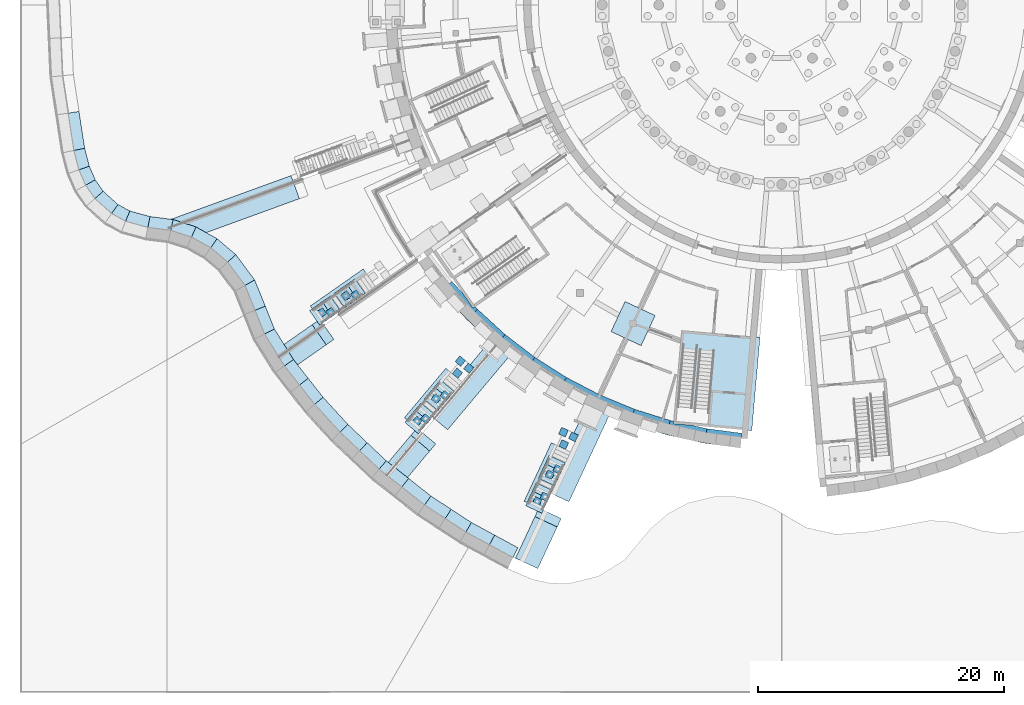
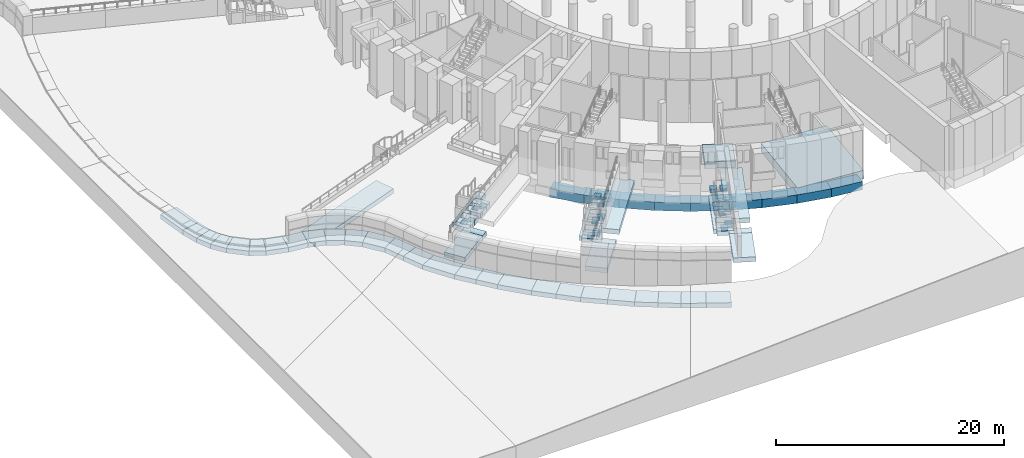
# One storey, part 1 of 65: 85 footings.
"""IFC4 building model written with IfcOpenShell, lengths in metres."""

from ifc_helpers import new_model, si_unit, direction, frame, origin, origin_2d, place, context, subcontext, project, spatial, polyline, rectangle, outline, extrude, material, type_object, element, save


model = new_model("IFC4")

# Units and contexts
model_context = context("Model", 3, precision=1e-05, world=origin(), true_north=direction((0.0, 1.0)))
body_context = subcontext(model_context, "Body", "Model", "MODEL_VIEW")
ifc_project = project(units=[si_unit("LENGTHUNIT", "METRE"), si_unit("AREAUNIT", "SQUARE_METRE"), si_unit("VOLUMEUNIT", "CUBIC_METRE"), si_unit("PLANEANGLEUNIT", "RADIAN"), si_unit("MASSUNIT", "GRAM", prefix="KILO")], contexts=[model_context])

# Site, building, storey
site_placement = place(None, origin())
site = spatial("IfcSite", under=ifc_project, at=site_placement, CompositionType="ELEMENT")
building_placement = place(site_placement, origin())
building = spatial("IfcBuilding", under=site, at=building_placement, Name="Volute Hill Aquarium", CompositionType="ELEMENT")
storey_placement = place(building_placement, frame((0.0, 0.0, -5.5)))
storey = spatial("IfcBuildingStorey", under=building, at=storey_placement, Name="L00", CompositionType="ELEMENT", Elevation=-5.5)

# Footings
ifc_material_1 = material(Name="Concrete C30/37", Category="concrete")
footing_type_1 = type_object("IfcFootingType", Name="Core raft footing 900 C30/37", PredefinedType="PAD_FOOTING", material=ifc_material_1)
footing_1_placement = place(storey_placement, frame((0.0, 0.0, -0.89990234375)))
element("IfcFooting", 1, at=footing_1_placement, inside=storey, type_object=footing_type_1, Name="ft/S2/L00/raftB", PredefinedType="PAD_FOOTING", context=body_context, shape_type="SweptSolid", body=[
    extrude(outline(polyline([(-2.426513671875, -34.6201171875), (-3.6220703125, -34.515625), (-3.6220703125, -34.515625), (-8.80224609375, -34.0625), (-8.139892578125, -26.491455078125), (-2.561279296875, -26.9794921875), (-2.561279296875, -26.9794921875), (-1.76416015625, -27.04931640625), (-2.426513671875, -34.6201171875)])), origin(), (0.0, 0.0, 1.0), 0.89990234375),
])
ifc_material_2 = material(Name="Concrete C30/37", Category="concrete")
footing_type_2 = type_object("IfcFootingType", Name="Outer wall strip footing 1200x900 C30/37", PredefinedType="STRIP_FOOTING", material=ifc_material_2)
footing_2_placement = place(storey_placement, frame((0.0, 0.0, -0.89990234375)))
element("IfcFooting", 2, at=footing_2_placement, inside=storey, type_object=footing_type_2, Name="ft/S2/L00/outer1", PredefinedType="STRIP_FOOTING", context=body_context, shape_type="SweptSolid", body=[
    extrude(outline(polyline([(-25.597412109375, -25.597412109375), (-27.730712890625, -23.268798828125), (-26.8115234375, -22.49755859375), (-25.947998046875, -23.43994140625), (-25.097900390625, -24.654296875), (-24.93798828125, -24.542236328125), (-24.748779296875, -24.748779296875), (-25.597412109375, -25.597412109375)])), origin(), (0.0, 0.0, 1.0), 0.89990234375),
])
footing_3_placement = place(storey_placement, frame((0.0, 0.0, -0.89990234375)))
element("IfcFooting", 3, at=footing_3_placement, inside=storey, type_object=footing_type_2, Name="ft/S2/L00/outer2", PredefinedType="STRIP_FOOTING", context=body_context, shape_type="SweptSolid", body=[
    extrude(outline(polyline([(-23.268798828125, -27.730712890625), (-25.597412109375, -25.597412109375), (-24.748779296875, -24.748779296875), (-22.49755859375, -26.8115234375), (-23.268798828125, -27.730712890625)])), origin(), (0.0, 0.0, 1.0), 0.89990234375),
])
footing_4_placement = place(storey_placement, frame((0.0, 0.0, -0.89990234375)))
element("IfcFooting", 4, at=footing_4_placement, inside=storey, type_object=footing_type_2, Name="ft/S2/L00/outer3", PredefinedType="STRIP_FOOTING", context=body_context, shape_type="SweptSolid", body=[
    extrude(outline(polyline([(-20.763427734375, -29.6533203125), (-23.268798828125, -27.730712890625), (-22.49755859375, -26.8115234375), (-20.0751953125, -28.67041015625), (-20.763427734375, -29.6533203125)])), origin(), (0.0, 0.0, 1.0), 0.89990234375),
])
footing_5_placement = place(storey_placement, frame((0.0, 0.0, -0.89990234375)))
element("IfcFooting", 5, at=footing_5_placement, inside=storey, type_object=footing_type_2, Name="ft/S2/L00/outer4", PredefinedType="STRIP_FOOTING", context=body_context, shape_type="SweptSolid", body=[
    extrude(outline(polyline([(-18.10009765625, -31.35009765625), (-20.763427734375, -29.6533203125), (-20.0751953125, -28.67041015625), (-17.5, -30.310791015625), (-18.10009765625, -31.35009765625)])), origin(), (0.0, 0.0, 1.0), 0.89990234375),
])
footing_6_placement = place(storey_placement, frame((0.0, 0.0, -0.89990234375)))
element("IfcFooting", 6, at=footing_6_placement, inside=storey, type_object=footing_type_2, Name="ft/S2/L00/outer5", PredefinedType="STRIP_FOOTING", context=body_context, shape_type="SweptSolid", body=[
    extrude(outline(polyline([(-15.298828125, -32.808349609375), (-18.10009765625, -31.35009765625), (-17.5, -30.310791015625), (-14.79150390625, -31.720703125), (-15.298828125, -32.808349609375)])), origin(), (0.0, 0.0, 1.0), 0.89990234375),
])
footing_7_placement = place(storey_placement, frame((0.0, 0.0, -0.89990234375)))
element("IfcFooting", 7, at=footing_7_placement, inside=storey, type_object=footing_type_2, Name="ft/S2/L00/outer6", PredefinedType="STRIP_FOOTING", context=body_context, shape_type="SweptSolid", body=[
    extrude(outline(polyline([(-12.381103515625, -34.016845703125), (-15.298828125, -32.808349609375), (-14.79150390625, -31.720703125), (-11.970703125, -32.88916015625), (-12.381103515625, -34.016845703125)])), origin(), (0.0, 0.0, 1.0), 0.89990234375),
])
footing_8_placement = place(storey_placement, frame((0.0, 0.0, -0.89990234375)))
element("IfcFooting", 8, at=footing_8_placement, inside=storey, type_object=footing_type_2, Name="ft/S2/L00/outer7", PredefinedType="STRIP_FOOTING", context=body_context, shape_type="SweptSolid", body=[
    extrude(outline(polyline([(-9.369140625, -34.966552734375), (-12.381103515625, -34.016845703125), (-11.970703125, -32.88916015625), (-9.05859375, -33.807373046875), (-9.369140625, -34.966552734375)])), origin(), (0.0, 0.0, 1.0), 0.89990234375),
])
footing_9_placement = place(storey_placement, frame((0.0, 0.0, -0.89990234375)))
element("IfcFooting", 9, at=footing_9_placement, inside=storey, type_object=footing_type_2, Name="ft/S2/L00/outer8", PredefinedType="STRIP_FOOTING", context=body_context, shape_type="SweptSolid", body=[
    extrude(outline(polyline([(-6.2861328125, -35.64990234375), (-9.369140625, -34.966552734375), (-9.05859375, -33.807373046875), (-8.78515625, -33.867919921875), (-8.80224609375, -34.0625), (-7.325439453125, -34.191650390625), (-6.07763671875, -34.46826171875), (-6.2861328125, -35.64990234375)])), origin(), (0.0, 0.0, 1.0), 0.89990234375),
])
footing_10_placement = place(storey_placement, frame((0.0, 0.0, -0.89990234375)))
element("IfcFooting", 10, at=footing_10_placement, inside=storey, type_object=footing_type_2, Name="ft/S2/L00/outer9", PredefinedType="STRIP_FOOTING", context=body_context, shape_type="SweptSolid", body=[
    extrude(outline(polyline([(-6.07763671875, -34.46826171875), (-3.248779296875, -34.8408203125), (-3.353515625, -36.0361328125), (-6.2861328125, -35.64990234375), (-6.07763671875, -34.46826171875)])), origin(), (0.0, 0.0, 1.0), 0.89990234375),
])
ifc_material_3 = material(Name="Concrete C30/37", Category="concrete")
footing_type_3 = type_object("IfcFootingType", Name="Pad footing 2700x2700x700 C30/37", PredefinedType="PAD_FOOTING", material=ifc_material_3)
footing_11_placement = place(storey_placement, frame((0.0, 0.0, -0.699951171875)))
element("IfcFooting", 11, at=footing_11_placement, inside=storey, type_object=footing_type_3, Name="ft/S2/L00/pad1.3", PredefinedType="PAD_FOOTING", context=body_context, shape_type="SweptSolid", body=[
    extrude(outline(polyline([(-12.739990234375, -24.126220703125), (-13.881103515625, -26.573486328125), (-11.433837890625, -27.714599609375), (-10.292724609375, -25.267333984375), (-12.739990234375, -24.126220703125)])), origin(), (0.0, 0.0, 1.0), 0.699951171875),
])
ifc_material_4 = material(Name="Concrete C30/37", Category="concrete")
footing_type_4 = type_object("IfcFootingType", Name="Retaining wall footing C30/37 2000", PredefinedType="STRIP_FOOTING", material=ifc_material_4)
footing_12_placement = place(storey_placement, frame((-44.638671875, -16.6728515625, -1.0), z_axis=(0.0, 0.0, 1.0), x_axis=(-0.939692620786, -0.342020143326, 0.0)))
element("IfcFooting", 12, at=footing_12_placement, inside=storey, type_object=footing_type_4, Name="ft/RW200/L00/2", PredefinedType="STRIP_FOOTING", context=body_context, shape_type="SweptSolid", body=[
    extrude(rectangle(XDim=10.798095703125, YDim=2.0, at=origin_2d()), origin(), (0.0, 0.0, 1.0), 0.5),
])
footing_13_placement = place(storey_placement, frame((-37.30419921875, -26.60888671875, 0.375), z_axis=(0.0, 0.0, 1.0), x_axis=(-0.819152044289, -0.573576436351, 0.0)))
element("IfcFooting", 13, at=footing_13_placement, inside=storey, type_object=footing_type_4, Name="ft/RW215/L00/1", PredefinedType="STRIP_FOOTING", context=body_context, shape_type="SweptSolid", body=[
    extrude(rectangle(XDim=0.760009765625, YDim=2.0, at=origin_2d()), origin(), (0.0, 0.0, 1.0), 0.5),
])
footing_14_placement = place(storey_placement, frame((-39.134521484375, -27.890380859375, 0.375), z_axis=(0.0, 0.0, 1.0), x_axis=(-0.819152044289, -0.573576436351, 0.0)))
element("IfcFooting", 14, at=footing_14_placement, inside=storey, type_object=footing_type_4, Name="ft/RW215/L00/2", PredefinedType="STRIP_FOOTING", context=body_context, shape_type="SweptSolid", body=[
    extrude(rectangle(XDim=3.708740234375, YDim=2.0, at=origin_2d()), origin(), (0.0, 0.0, 1.0), 0.5),
])
footing_15_placement = place(storey_placement, frame((-25.4501953125, -30.952392578125, 1.75), z_axis=(0.0, 0.0, 1.0), x_axis=(-0.642787609687, -0.766044443119, 0.0)))
element("IfcFooting", 15, at=footing_15_placement, inside=storey, type_object=footing_type_4, Name="ft/RW230/L00/0", PredefinedType="STRIP_FOOTING", context=body_context, shape_type="SweptSolid", body=[
    extrude(rectangle(XDim=7.739990234375, YDim=2.0, at=origin_2d()), origin(), (0.0, 0.0, 1.0), 0.5),
])
footing_16_placement = place(storey_placement, frame((-29.14599609375, -35.357421875, 1.75), z_axis=(0.0, 0.0, 1.0), x_axis=(-0.642787609687, -0.766044443119, 0.0)))
element("IfcFooting", 16, at=footing_16_placement, inside=storey, type_object=footing_type_4, Name="ft/RW230/L00/1", PredefinedType="STRIP_FOOTING", context=body_context, shape_type="SweptSolid", body=[
    extrude(rectangle(XDim=0.760009765625, YDim=2.0, at=origin_2d()), origin(), (0.0, 0.0, 1.0), 0.5),
])
footing_17_placement = place(storey_placement, frame((-30.590087890625, -37.077880859375, 1.75), z_axis=(0.0, 0.0, 1.0), x_axis=(-0.642787609687, -0.766044443119, 0.0)))
element("IfcFooting", 17, at=footing_17_placement, inside=storey, type_object=footing_type_4, Name="ft/RW230/L00/2", PredefinedType="STRIP_FOOTING", context=body_context, shape_type="SweptSolid", body=[
    extrude(rectangle(XDim=3.732421875, YDim=2.0, at=origin_2d()), origin(), (0.0, 0.0, 1.0), 0.5),
])
footing_18_placement = place(storey_placement, frame((-16.57177734375, -36.48486328125, 3.125), z_axis=(0.0, 0.0, 1.0), x_axis=(-0.422618261741, -0.906307787037, 0.0)))
element("IfcFooting", 18, at=footing_18_placement, inside=storey, type_object=footing_type_4, Name="ft/RW245/L00/0", PredefinedType="STRIP_FOOTING", context=body_context, shape_type="SweptSolid", body=[
    extrude(rectangle(XDim=7.739990234375, YDim=2.0, at=origin_2d()), origin(), (0.0, 0.0, 1.0), 0.5),
])
footing_19_placement = place(storey_placement, frame((-19.001953125, -41.696044921875, 3.125), z_axis=(0.0, 0.0, 1.0), x_axis=(-0.422618261741, -0.906307787037, 0.0)))
element("IfcFooting", 19, at=footing_19_placement, inside=storey, type_object=footing_type_4, Name="ft/RW245/L00/1", PredefinedType="STRIP_FOOTING", context=body_context, shape_type="SweptSolid", body=[
    extrude(rectangle(XDim=0.760009765625, YDim=2.0, at=origin_2d()), origin(), (0.0, 0.0, 1.0), 0.5),
])
footing_20_placement = place(storey_placement, frame((-19.951904296875, -43.733154296875, 3.125), z_axis=(0.0, 0.0, 1.0), x_axis=(-0.422618261741, -0.906307787037, 0.0)))
element("IfcFooting", 20, at=footing_20_placement, inside=storey, type_object=footing_type_4, Name="ft/RW245/L00/2", PredefinedType="STRIP_FOOTING", context=body_context, shape_type="SweptSolid", body=[
    extrude(rectangle(XDim=3.735595703125, YDim=2.0, at=origin_2d()), origin(), (0.0, 0.0, 1.0), 0.5),
])
ifc_material_5 = material(Name="Concrete C30/37", Category="concrete")
footing_type_5 = type_object("IfcFootingType", Name="Site edge wall footing C30/37 1800", PredefinedType="STRIP_FOOTING", material=ifc_material_5)
footing_21_placement = place(storey_placement, frame((0.0, 0.0, -1.0)))
element("IfcFooting", 21, at=footing_21_placement, inside=storey, type_object=footing_type_5, Name="ft/RWE/0.0", PredefinedType="STRIP_FOOTING", context=body_context, shape_type="SweptSolid", body=[
    extrude(outline(polyline([(-51.726318359375, -18.987060546875), (-49.888916015625, -19.220703125), (-49.493408203125, -17.45654296875), (-51.37109375, -17.217529296875), (-51.37109375, -17.217529296875), (-51.726318359375, -18.987060546875), (-51.726318359375, -18.987060546875)])), origin(), (0.0, 0.0, 1.0), 0.5),
])
footing_22_placement = place(storey_placement, frame((0.0, 0.0, -1.0)))
element("IfcFooting", 22, at=footing_22_placement, inside=storey, type_object=footing_type_5, Name="ft/RWE/1.0", PredefinedType="STRIP_FOOTING", context=body_context, shape_type="SweptSolid", body=[
    extrude(outline(polyline([(-49.888916015625, -19.220703125), (-48.359619140625, -19.71826171875), (-47.635986328125, -18.060791015625), (-49.493408203125, -17.45654296875), (-49.493408203125, -17.45654296875), (-49.888916015625, -19.220703125), (-49.888916015625, -19.220703125)])), origin(), (0.0, 0.0, 1.0), 0.5),
])
footing_23_placement = place(storey_placement, frame((0.0, 0.0, -1.0)))
element("IfcFooting", 23, at=footing_23_placement, inside=storey, type_object=footing_type_5, Name="ft/RWE/2.0", PredefinedType="STRIP_FOOTING", context=body_context, shape_type="SweptSolid", body=[
    extrude(outline(polyline([(-46.9541015625, -20.501953125), (-46.9541015625, -20.501953125), (-45.92431640625, -19.015380859375), (-45.92431640625, -19.015380859375), (-47.635986328125, -18.060791015625), (-47.635986328125, -18.060791015625), (-48.359619140625, -19.71826171875), (-46.9541015625, -20.501953125)])), origin(), (0.0, 0.0, 1.0), 0.5),
])
footing_24_placement = place(storey_placement, frame((0.0, 0.0, -1.0)))
element("IfcFooting", 24, at=footing_24_placement, inside=storey, type_object=footing_type_5, Name="ft/RWE/3.0", PredefinedType="STRIP_FOOTING", context=body_context, shape_type="SweptSolid", body=[
    extrude(outline(polyline([(-46.9541015625, -20.501953125), (-45.72265625, -21.54541015625), (-44.40283203125, -20.3046875), (-44.40283203125, -20.3046875), (-45.92431640625, -19.015380859375), (-46.9541015625, -20.501953125)])), origin(), (0.0, 0.0, 1.0), 0.5),
])
footing_25_placement = place(storey_placement, frame((0.0, 0.0, -1.0)))
element("IfcFooting", 25, at=footing_25_placement, inside=storey, type_object=footing_type_5, Name="ft/RWE/4.0", PredefinedType="STRIP_FOOTING", context=body_context, shape_type="SweptSolid", body=[
    extrude(outline(polyline([(-44.443603515625, -23.259033203125), (-44.443603515625, -23.259033203125), (-42.861083984375, -22.369873046875), (-44.40283203125, -20.3046875), (-45.72265625, -21.54541015625), (-45.72265625, -21.54541015625), (-44.443603515625, -23.259033203125)])), origin(), (0.0, 0.0, 1.0), 0.5),
])
footing_26_placement = place(storey_placement, frame((0.0, 0.0, -1.0)))
element("IfcFooting", 26, at=footing_26_placement, inside=storey, type_object=footing_type_5, Name="ft/RWE/5.0", PredefinedType="STRIP_FOOTING", context=body_context, shape_type="SweptSolid", body=[
    extrude(outline(polyline([(-44.443603515625, -23.259033203125), (-43.67236328125, -25.176025390625), (-42.00244140625, -24.504150390625), (-42.861083984375, -22.369873046875), (-44.443603515625, -23.259033203125)])), origin(), (0.0, 0.0, 1.0), 0.5),
])
footing_27_placement = place(storey_placement, frame((0.0, 0.0, -1.0)))
element("IfcFooting", 27, at=footing_27_placement, inside=storey, type_object=footing_type_5, Name="ft/RWE/5.1", PredefinedType="STRIP_FOOTING", context=body_context, shape_type="SweptSolid", body=[
    extrude(outline(polyline([(-43.67236328125, -25.176025390625), (-42.864501953125, -27.183837890625), (-41.25341796875, -26.365966796875), (-42.00244140625, -24.504150390625), (-43.67236328125, -25.176025390625)])), origin(), (0.0, 0.0, 1.0), 0.5),
])
footing_28_placement = place(storey_placement, frame((0.0, 0.0, -1.0)))
element("IfcFooting", 28, at=footing_28_placement, inside=storey, type_object=footing_type_5, Name="ft/RWE/6.0", PredefinedType="STRIP_FOOTING", context=body_context, shape_type="SweptSolid", body=[
    extrude(outline(polyline([(-41.1845703125, -29.882568359375), (-41.1845703125, -29.882568359375), (-39.708740234375, -28.847412109375), (-39.708740234375, -28.847412109375), (-41.25341796875, -26.365966796875), (-41.25341796875, -26.365966796875), (-42.864501953125, -27.183837890625), (-42.864501953125, -27.183837890625), (-41.1845703125, -29.882568359375)])), origin(), (0.0, 0.0, 1.0), 0.5),
])
footing_29_placement = place(storey_placement, frame((0.0, 0.0, -1.0)))
element("IfcFooting", 29, at=footing_29_placement, inside=storey, type_object=footing_type_5, Name="ft/RWE/7.0", PredefinedType="STRIP_FOOTING", context=body_context, shape_type="SweptSolid", body=[
    extrude(outline(polyline([(-41.1845703125, -29.882568359375), (-39.926513671875, -31.48193359375), (-38.51171875, -30.368896484375), (-39.708740234375, -28.847412109375), (-41.1845703125, -29.882568359375)])), origin(), (0.0, 0.0, 1.0), 0.5),
])
footing_30_placement = place(storey_placement, frame((0.0, 0.0, -1.0)))
element("IfcFooting", 30, at=footing_30_placement, inside=storey, type_object=footing_type_5, Name="ft/RWE/7.1", PredefinedType="STRIP_FOOTING", context=body_context, shape_type="SweptSolid", body=[
    extrude(outline(polyline([(-38.67333984375, -33.07470703125), (-38.67333984375, -33.07470703125), (-37.299072265625, -31.910400390625), (-37.299072265625, -31.910400390625), (-38.51171875, -30.368896484375), (-39.926513671875, -31.48193359375), (-38.67333984375, -33.07470703125)])), origin(), (0.0, 0.0, 1.0), 0.5),
])
footing_31_placement = place(storey_placement, frame((0.0, 0.0, -1.0)))
element("IfcFooting", 31, at=footing_31_placement, inside=storey, type_object=footing_type_5, Name="ft/RWE/8.0", PredefinedType="STRIP_FOOTING", context=body_context, shape_type="SweptSolid", body=[
    extrude(outline(polyline([(-38.67333984375, -33.07470703125), (-36.560302734375, -35.391845703125), (-35.27490234375, -34.130126953125), (-37.299072265625, -31.910400390625), (-38.67333984375, -33.07470703125)])), origin(), (0.0, 0.0, 1.0), 0.5),
])
footing_32_placement = place(storey_placement, frame((0.0, 0.0, -1.0)))
element("IfcFooting", 32, at=footing_32_placement, inside=storey, type_object=footing_type_5, Name="ft/RWE/9.0", PredefinedType="STRIP_FOOTING", context=body_context, shape_type="SweptSolid", body=[
    extrude(outline(polyline([(-36.560302734375, -35.391845703125), (-34.948974609375, -36.917236328125), (-33.711669921875, -35.60986328125), (-35.27490234375, -34.130126953125), (-35.27490234375, -34.130126953125), (-36.560302734375, -35.391845703125), (-36.560302734375, -35.391845703125)])), origin(), (0.0, 0.0, 1.0), 0.5),
])
footing_33_placement = place(storey_placement, frame((0.0, 0.0, -1.0)))
element("IfcFooting", 33, at=footing_33_placement, inside=storey, type_object=footing_type_5, Name="ft/RWE/9.1", PredefinedType="STRIP_FOOTING", context=body_context, shape_type="SweptSolid", body=[
    extrude(outline(polyline([(-34.948974609375, -36.917236328125), (-33.334716796875, -38.445068359375), (-32.15625, -37.08203125), (-33.711669921875, -35.60986328125), (-34.948974609375, -36.917236328125)])), origin(), (0.0, 0.0, 1.0), 0.5),
])
footing_34_placement = place(storey_placement, frame((0.0, 0.0, -1.0)))
element("IfcFooting", 34, at=footing_34_placement, inside=storey, type_object=footing_type_5, Name="ft/RWE/10.0", PredefinedType="STRIP_FOOTING", context=body_context, shape_type="SweptSolid", body=[
    extrude(outline(polyline([(-33.334716796875, -38.445068359375), (-31.45556640625, -39.927490234375), (-30.3408203125, -38.514404296875), (-32.15625, -37.08203125), (-32.15625, -37.08203125), (-33.334716796875, -38.445068359375)])), origin(), (0.0, 0.0, 1.0), 0.5),
])
footing_35_placement = place(storey_placement, frame((0.0, 0.0, -1.0)))
element("IfcFooting", 35, at=footing_35_placement, inside=storey, type_object=footing_type_5, Name="ft/RWE/10.1", PredefinedType="STRIP_FOOTING", context=body_context, shape_type="SweptSolid", body=[
    extrude(outline(polyline([(-29.57666015625, -41.409912109375), (-29.57666015625, -41.409912109375), (-28.5244140625, -39.947265625), (-28.5244140625, -39.947265625), (-30.3408203125, -38.514404296875), (-31.45556640625, -39.927490234375), (-29.57666015625, -41.409912109375)])), origin(), (0.0, 0.0, 1.0), 0.5),
])
footing_36_placement = place(storey_placement, frame((0.0, 0.0, -1.0)))
element("IfcFooting", 36, at=footing_36_placement, inside=storey, type_object=footing_type_5, Name="ft/RWE/11.0", PredefinedType="STRIP_FOOTING", context=body_context, shape_type="SweptSolid", body=[
    extrude(outline(polyline([(-29.57666015625, -41.409912109375), (-27.8642578125, -42.530029296875), (-26.87890625, -41.023681640625), (-28.5244140625, -39.947265625), (-29.57666015625, -41.409912109375)])), origin(), (0.0, 0.0, 1.0), 0.5),
])
footing_37_placement = place(storey_placement, frame((0.0, 0.0, -1.0)))
element("IfcFooting", 37, at=footing_37_placement, inside=storey, type_object=footing_type_5, Name="ft/RWE/11.1", PredefinedType="STRIP_FOOTING", context=body_context, shape_type="SweptSolid", body=[
    extrude(outline(polyline([(-26.15283203125, -43.6494140625), (-26.15283203125, -43.6494140625), (-25.230224609375, -42.10205078125), (-26.87890625, -41.023681640625), (-27.8642578125, -42.530029296875), (-26.15283203125, -43.6494140625)])), origin(), (0.0, 0.0, 1.0), 0.5),
])
footing_38_placement = place(storey_placement, frame((0.0, 0.0, -1.0)))
element("IfcFooting", 38, at=footing_38_placement, inside=storey, type_object=footing_type_5, Name="ft/RWE/12.0", PredefinedType="STRIP_FOOTING", context=body_context, shape_type="SweptSolid", body=[
    extrude(outline(polyline([(-26.15283203125, -43.6494140625), (-24.200927734375, -44.7060546875), (-23.343994140625, -43.123046875), (-25.230224609375, -42.10205078125), (-25.230224609375, -42.10205078125), (-26.15283203125, -43.6494140625)])), origin(), (0.0, 0.0, 1.0), 0.5),
])
footing_39_placement = place(storey_placement, frame((0.0, 0.0, -1.0)))
element("IfcFooting", 39, at=footing_39_placement, inside=storey, type_object=footing_type_5, Name="ft/RWE/12.1", PredefinedType="STRIP_FOOTING", context=body_context, shape_type="SweptSolid", body=[
    extrude(outline(polyline([(-22.248291015625, -45.762939453125), (-22.248291015625, -45.762939453125), (-21.4599609375, -44.142822265625), (-21.4599609375, -44.142822265625), (-23.343994140625, -43.123046875), (-24.200927734375, -44.7060546875), (-22.248291015625, -45.762939453125)])), origin(), (0.0, 0.0, 1.0), 0.5),
])
footing_40_placement = place(storey_placement, frame((0.0, 0.0, -1.0)))
element("IfcFooting", 40, at=footing_40_placement, inside=storey, type_object=footing_type_5, Name="ft/RWE/98.1", PredefinedType="STRIP_FOOTING", context=body_context, shape_type="SweptSolid", body=[
    extrude(outline(polyline([(-58.45751953125, -12.02587890625), (-58.45751953125, -12.02587890625), (-56.692138671875, -11.66162109375), (-56.692138671875, -11.66162109375), (-57.150634765625, -8.666259765625), (-58.929931640625, -8.9384765625), (-58.45751953125, -12.02587890625)])), origin(), (0.0, 0.0, 1.0), 0.5),
])
footing_41_placement = place(storey_placement, frame((0.0, 0.0, -1.0)))
element("IfcFooting", 41, at=footing_41_placement, inside=storey, type_object=footing_type_5, Name="ft/RWE/99.0", PredefinedType="STRIP_FOOTING", context=body_context, shape_type="SweptSolid", body=[
    extrude(outline(polyline([(-58.45751953125, -12.02587890625), (-58.017822265625, -13.71044921875), (-56.3115234375, -13.12060546875), (-56.692138671875, -11.66162109375), (-58.45751953125, -12.02587890625)])), origin(), (0.0, 0.0, 1.0), 0.5),
])
footing_42_placement = place(storey_placement, frame((0.0, 0.0, -1.0)))
element("IfcFooting", 42, at=footing_42_placement, inside=storey, type_object=footing_type_5, Name="ft/RWE/100.0", PredefinedType="STRIP_FOOTING", context=body_context, shape_type="SweptSolid", body=[
    extrude(outline(polyline([(-58.017822265625, -13.71044921875), (-57.408447265625, -15.111572265625), (-55.8291015625, -14.2294921875), (-56.3115234375, -13.12060546875), (-56.3115234375, -13.12060546875), (-58.017822265625, -13.71044921875), (-58.017822265625, -13.71044921875)])), origin(), (0.0, 0.0, 1.0), 0.5),
])
footing_43_placement = place(storey_placement, frame((0.0, 0.0, -1.0)))
element("IfcFooting", 43, at=footing_43_placement, inside=storey, type_object=footing_type_5, Name="ft/RWE/101.0", PredefinedType="STRIP_FOOTING", context=body_context, shape_type="SweptSolid", body=[
    extrude(outline(polyline([(-56.541748046875, -16.355712890625), (-56.541748046875, -16.355712890625), (-55.18408203125, -15.15576171875), (-55.18408203125, -15.15576171875), (-55.8291015625, -14.2294921875), (-55.8291015625, -14.2294921875), (-57.408447265625, -15.111572265625), (-57.408447265625, -15.111572265625), (-56.541748046875, -16.355712890625)])), origin(), (0.0, 0.0, 1.0), 0.5),
])
footing_44_placement = place(storey_placement, frame((0.0, 0.0, -1.0)))
element("IfcFooting", 44, at=footing_44_placement, inside=storey, type_object=footing_type_5, Name="ft/RWE/102.0", PredefinedType="STRIP_FOOTING", context=body_context, shape_type="SweptSolid", body=[
    extrude(outline(polyline([(-56.541748046875, -16.355712890625), (-55.027099609375, -17.715576171875), (-53.97998046875, -16.23681640625), (-55.18408203125, -15.15576171875), (-56.541748046875, -16.355712890625)])), origin(), (0.0, 0.0, 1.0), 0.5),
])
footing_45_placement = place(storey_placement, frame((0.0, 0.0, -1.0)))
element("IfcFooting", 45, at=footing_45_placement, inside=storey, type_object=footing_type_5, Name="ft/RWE/103.0", PredefinedType="STRIP_FOOTING", context=body_context, shape_type="SweptSolid", body=[
    extrude(outline(polyline([(-55.027099609375, -17.715576171875), (-53.701171875, -18.441162109375), (-53.701171875, -18.441162109375), (-53.020263671875, -16.76171875), (-53.020263671875, -16.76171875), (-53.97998046875, -16.23681640625), (-53.97998046875, -16.23681640625), (-55.027099609375, -17.715576171875), (-55.027099609375, -17.715576171875)])), origin(), (0.0, 0.0, 1.0), 0.5),
])
footing_46_placement = place(storey_placement, frame((0.0, 0.0, -1.0)))
element("IfcFooting", 46, at=footing_46_placement, inside=storey, type_object=footing_type_5, Name="ft/RWE/104.0", PredefinedType="STRIP_FOOTING", context=body_context, shape_type="SweptSolid", body=[
    extrude(outline(polyline([(-53.701171875, -18.441162109375), (-51.726318359375, -18.987060546875), (-51.37109375, -17.217529296875), (-53.020263671875, -16.76171875), (-53.701171875, -18.441162109375)])), origin(), (0.0, 0.0, 1.0), 0.5),
])
ifc_material_6 = material(Name="Concrete C30/37", Category="concrete")
footing_type_6 = type_object("IfcFootingType", Name="Stair foot pad footing C30/37 600", PredefinedType="PAD_FOOTING", material=ifc_material_6)
for number, where, z_axis, x_axis, name in (
    (47, (-34.66259765625, -23.599609375, 0.47509765625), (0.0, 0.0, 1.0), (-0.819152044289, -0.573576436351, 0.0), "ft/ST215/L00/q0"),
    (48, (-35.44482421875, -23.6591796875, 0.47509765625), (0.0, 0.0, 1.0), (-0.819152044289, -0.573576436351, 0.0), "ft/ST215/L00/q1"),
    (49, (-36.677490234375, -25.010498046875, 0.47509765625), (0.0, 0.0, 1.0), (-0.819152044289, -0.573576436351, 0.0), "ft/ST215/L00/q2"),
    (50, (-37.414794921875, -25.03857421875, 0.47509765625), (0.0, 0.0, 1.0), (-0.819152044289, -0.573576436351, 0.0), "ft/ST215/L00/q3"),
    (51, (-25.45166015625, -29.55419921875, 1.85009765625), (0.0, 0.0, 1.0), (-0.642787609687, -0.766044443119, 0.0), "ft/ST230/L00/p0"),
    (52, (-26.14111328125, -28.975830078125, 1.85009765625), (0.0, 0.0, 1.0), (-0.642787609687, -0.766044443119, 0.0), "ft/ST230/L00/p1"),
    (53, (-26.375, -29.95458984375, 1.85009765625), (0.0, 0.0, 1.0), (-0.642787609687, -0.766044443119, 0.0), "ft/ST230/L00/p2"),
    (54, (-27.373291015625, -31.7666015625, 1.85009765625), (0.0, 0.0, 1.0), (-0.642787609687, -0.766044443119, 0.0), "ft/ST230/L00/q0"),
    (55, (-28.11376953125, -32.026611328125, 1.85009765625), (0.0, 0.0, 1.0), (-0.642787609687, -0.766044443119, 0.0), "ft/ST230/L00/q1"),
    (56, (-28.95458984375, -33.651123046875, 1.85009765625), (0.0, 0.0, 1.0), (-0.642787609687, -0.766044443119, 0.0), "ft/ST230/L00/q2"),
    (57, (-29.65966796875, -33.868896484375, 1.85009765625), (0.0, 0.0, 1.0), (-0.642787609687, -0.766044443119, 0.0), "ft/ST230/L00/q3"),
    (58, (-16.935302734375, -35.134765625, 3.22509765625), (0.0, 0.0, 1.0), (-0.422618261741, -0.906307787037, 0.0), "ft/ST245/L00/p0"),
    (59, (-17.7509765625, -34.75439453125, 3.22509765625), (0.0, 0.0, 1.0), (-0.422618261741, -0.906307787037, 0.0), "ft/ST245/L00/p1"),
    (60, (-17.723388671875, -35.76025390625, 3.22509765625), (0.0, 0.0, 1.0), (-0.422618261741, -0.906307787037, 0.0), "ft/ST245/L00/p2"),
    (61, (-18.21875, -37.76904296875, 3.22509765625), (0.0, 0.0, 1.0), (-0.422618261741, -0.906307787037, 0.0), "ft/ST245/L00/q0"),
    (62, (-18.86669921875, -38.211669921875, 3.22509765625), (0.0, 0.0, 1.0), (-0.422618261741, -0.906307787037, 0.0), "ft/ST245/L00/q1"),
    (63, (-19.258544921875, -39.99853515625, 3.22509765625), (0.0, 0.0, 1.0), (-0.422618261741, -0.906307787037, 0.0), "ft/ST245/L00/q2"),
    (64, (-19.883056640625, -40.3916015625, 3.22509765625), (0.0, 0.0, 1.0), (-0.422618261741, -0.906307787037, 0.0), "ft/ST245/L00/q3"),
):
    element("IfcFooting", number, at=place(storey_placement, frame(where, z_axis=z_axis, x_axis=x_axis)), inside=storey, type_object=footing_type_6, Name=name, PredefinedType="PAD_FOOTING", context=body_context, shape_type="SweptSolid", body=[
        extrude(rectangle(XDim=0.60009765625, YDim=0.60009765625, at=origin_2d()), origin(), (0.0, 0.0, 1.0), 0.39990234375),
    ])
ifc_material_7 = material(Name="Concrete C30/37", Category="concrete")
footing_type_7 = type_object("IfcFootingType", Name="Stair string wall footing C30/37 800", PredefinedType="STRIP_FOOTING", material=ifc_material_7)
footing_47_placement = place(storey_placement, frame((-35.95068359375, -23.311279296875, 0.375), z_axis=(0.0, 0.0, 1.0), x_axis=(-0.819152044289, -0.573576436351, 0.0)))
element("IfcFooting", 65, at=footing_47_placement, inside=storey, type_object=footing_type_7, Name="ft/ST215/L00/1", PredefinedType="STRIP_FOOTING", context=body_context, shape_type="SweptSolid", body=[
    extrude(rectangle(XDim=5.239990234375, YDim=0.800048828125, at=origin_2d()), origin(), (0.0, 0.0, 1.0), 0.5),
])
for number, where, z_axis, x_axis, name in (
    (66, (-34.611328125, -23.10595703125, 0.375), (0.0, 0.0, 1.0), (0.573576436351, -0.819152044289, 0.0), "ft/ST215/L00/xa"),
    (67, (-35.635498046875, -23.822998046875, 0.375), (0.0, 0.0, 1.0), (0.573576436351, -0.819152044289, 0.0), "ft/ST215/L00/xb"),
    (68, (-36.62646484375, -24.516845703125, 0.375), (0.0, 0.0, 1.0), (0.573576436351, -0.819152044289, 0.0), "ft/ST215/L00/xc"),
    (69, (-37.650390625, -25.23388671875, 0.375), (0.0, 0.0, 1.0), (0.573576436351, -0.819152044289, 0.0), "ft/ST215/L00/xd"),
    (70, (-35.2255859375, -23.5361328125, 0.375), (0.0, 0.0, 1.0), (0.573576436351, -0.819152044289, 0.0), "ft/ST215/L00/xe"),
    (71, (-37.240966796875, -24.947021484375, 0.375), (0.0, 0.0, 1.0), (0.573576436351, -0.819152044289, 0.0), "ft/ST215/L00/xf"),
):
    element("IfcFooting", number, at=place(storey_placement, frame(where, z_axis=z_axis, x_axis=x_axis)), inside=storey, type_object=footing_type_7, Name=name, PredefinedType="STRIP_FOOTING", context=body_context, shape_type="SweptSolid", body=[
        extrude(rectangle(XDim=1.449951171875, YDim=0.800048828125, at=origin_2d()), origin(), (0.0, 0.0, 1.0), 0.5),
    ])
footing_48_placement = place(storey_placement, frame((-28.6923828125, -31.82177734375, 1.75), z_axis=(0.0, 0.0, 1.0), x_axis=(-0.642787609687, -0.766044443119, 0.0)))
element("IfcFooting", 72, at=footing_48_placement, inside=storey, type_object=footing_type_7, Name="ft/ST230/L00/1", PredefinedType="STRIP_FOOTING", context=body_context, shape_type="SweptSolid", body=[
    extrude(rectangle(XDim=5.239990234375, YDim=0.800048828125, at=origin_2d()), origin(), (0.0, 0.0, 1.0), 0.5),
])
for number, where, z_axis, x_axis, name in (
    (73, (-27.451904296875, -31.276611328125, 1.75), (0.0, 0.0, 1.0), (0.766044443119, -0.642787609687, 0.0), "ft/ST230/L00/xa"),
    (74, (-28.25537109375, -32.234375, 1.75), (0.0, 0.0, 1.0), (0.766044443119, -0.642787609687, 0.0), "ft/ST230/L00/xb"),
    (75, (-29.032958984375, -33.1611328125, 1.75), (0.0, 0.0, 1.0), (0.766044443119, -0.642787609687, 0.0), "ft/ST230/L00/xc"),
    (76, (-29.83642578125, -34.11865234375, 1.75), (0.0, 0.0, 1.0), (0.766044443119, -0.642787609687, 0.0), "ft/ST230/L00/xd"),
    (77, (-27.933837890625, -31.851318359375, 1.75), (0.0, 0.0, 1.0), (0.766044443119, -0.642787609687, 0.0), "ft/ST230/L00/xe"),
    (78, (-29.51513671875, -33.735595703125, 1.75), (0.0, 0.0, 1.0), (0.766044443119, -0.642787609687, 0.0), "ft/ST230/L00/xf"),
):
    element("IfcFooting", number, at=place(storey_placement, frame(where, z_axis=z_axis, x_axis=x_axis)), inside=storey, type_object=footing_type_7, Name=name, PredefinedType="STRIP_FOOTING", context=body_context, shape_type="SweptSolid", body=[
        extrude(rectangle(XDim=1.449951171875, YDim=0.800048828125, at=origin_2d()), origin(), (0.0, 0.0, 1.0), 0.5),
    ])
footing_49_placement = place(storey_placement, frame((-19.478759765625, -38.16357421875, 3.125), z_axis=(0.0, 0.0, 1.0), x_axis=(-0.422618261741, -0.906307787037, 0.0)))
element("IfcFooting", 79, at=footing_49_placement, inside=storey, type_object=footing_type_7, Name="ft/ST245/L00/1", PredefinedType="STRIP_FOOTING", context=body_context, shape_type="SweptSolid", body=[
    extrude(rectangle(XDim=5.239990234375, YDim=0.800048828125, at=origin_2d()), origin(), (0.0, 0.0, 1.0), 0.5),
])
for number, where, z_axis, x_axis, name in (
    (80, (-18.42138671875, -37.31591796875, 3.125), (0.0, 0.0, 1.0), (0.906307787037, -0.422618261741, 0.0), "ft/ST245/L00/xa"),
    (81, (-18.94970703125, -38.448974609375, 3.125), (0.0, 0.0, 1.0), (0.906307787037, -0.422618261741, 0.0), "ft/ST245/L00/xb"),
    (82, (-19.4609375, -39.54541015625, 3.125), (0.0, 0.0, 1.0), (0.906307787037, -0.422618261741, 0.0), "ft/ST245/L00/xc"),
    (83, (-19.9892578125, -40.678466796875, 3.125), (0.0, 0.0, 1.0), (0.906307787037, -0.422618261741, 0.0), "ft/ST245/L00/xd"),
    (84, (-18.73828125, -37.99560546875, 3.125), (0.0, 0.0, 1.0), (0.906307787037, -0.422618261741, 0.0), "ft/ST245/L00/xe"),
    (85, (-19.77783203125, -40.225341796875, 3.125), (0.0, 0.0, 1.0), (0.906307787037, -0.422618261741, 0.0), "ft/ST245/L00/xf"),
):
    element("IfcFooting", number, at=place(storey_placement, frame(where, z_axis=z_axis, x_axis=x_axis)), inside=storey, type_object=footing_type_7, Name=name, PredefinedType="STRIP_FOOTING", context=body_context, shape_type="SweptSolid", body=[
        extrude(rectangle(XDim=1.449951171875, YDim=0.800048828125, at=origin_2d()), origin(), (0.0, 0.0, 1.0), 0.5),
    ])

save(model, "model.ifc")
